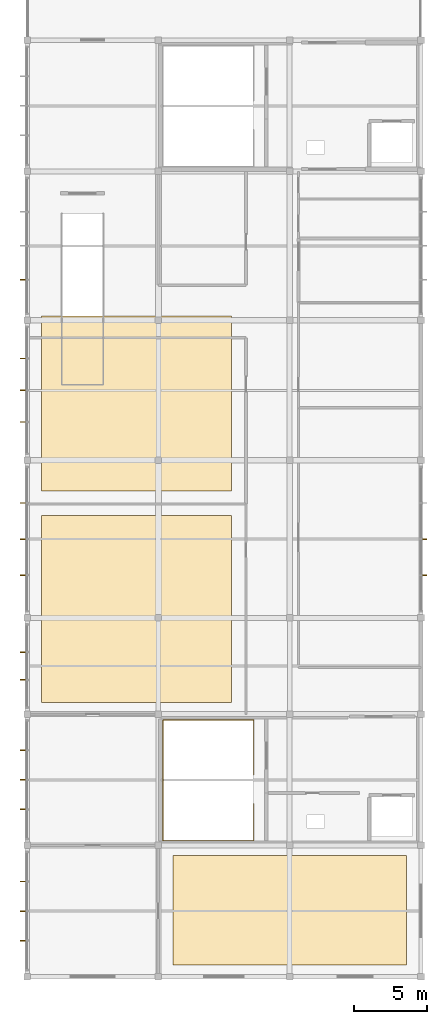
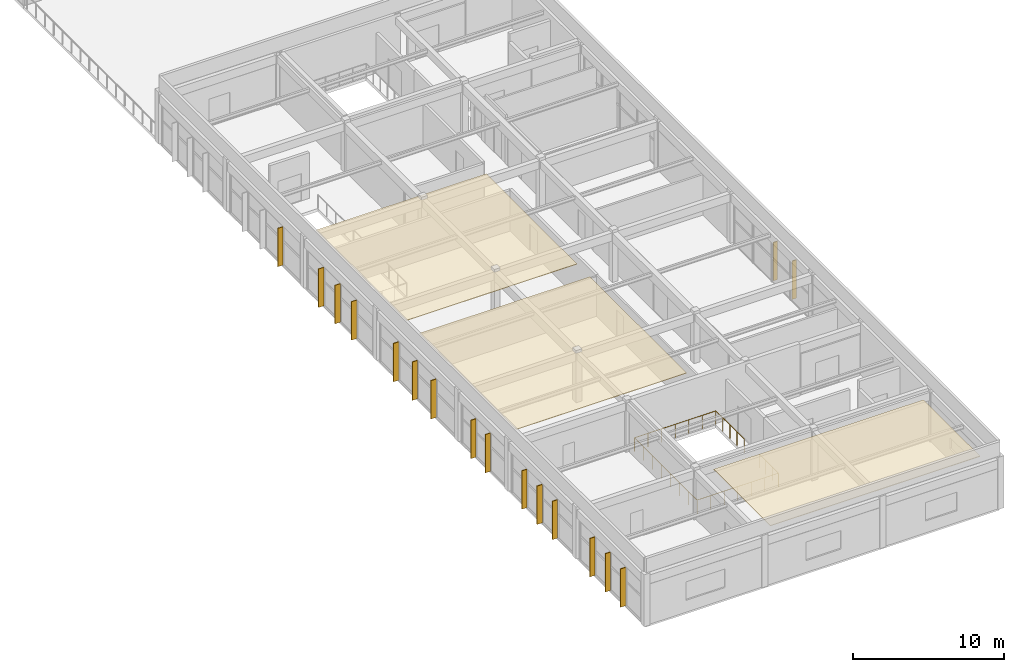
# One storey, part 9 of 10: 17 shading devices, 3 coverings, 1 railing.
"""IFC4 building model written with IfcOpenShell, lengths in metres."""

from ifc_helpers import new_model, si_unit, direction, frame, origin, origin_2d, place, context, subcontext, project, spatial, polyline, rectangle, circle, outline, extrude, material, layer, layer_set, type_object, element, save


model = new_model("IFC4")

# Units and contexts
model_context = context("Model", 3, precision=1e-05, world=origin(), true_north=direction((0.0, 1.0)))
body_context = subcontext(model_context, "Body", "Model", "MODEL_VIEW")
ifc_project = project(units=[si_unit("LENGTHUNIT", "METRE"), si_unit("AREAUNIT", "SQUARE_METRE"), si_unit("VOLUMEUNIT", "CUBIC_METRE"), si_unit("PLANEANGLEUNIT", "RADIAN"), si_unit("MASSUNIT", "GRAM", prefix="KILO")], contexts=[model_context])

# Site, building, storey
site_placement = place(None, origin())
site = spatial("IfcSite", under=ifc_project, at=site_placement, CompositionType="ELEMENT")
building_placement = place(site_placement, origin())
building = spatial("IfcBuilding", under=site, at=building_placement, Name="Suirenkawa Promenade Aquatics Centre", CompositionType="ELEMENT")
storey_placement = place(building_placement, frame((0.0, 0.0, 18.60009765625)))
storey = spatial("IfcBuildingStorey", under=building, at=storey_placement, Name="L04", CompositionType="ELEMENT", Elevation=18.60009765625)

# Coverings
ifc_material_1 = material(Name="Anodised aluminium 6063-T6", Category="aluminium")
ifc_layer = layer(ifc_material_1, 0.044921875, Name="Anodised aluminium 6063-T6", Category="aluminium")
ifc_layer_set = layer_set([ifc_layer], Name="Anodised aluminium 6063-T6")
covering_type = type_object("IfcCoveringType", Name="CVT-BAFFLE-CEIL", PredefinedType="CEILING", material=ifc_layer_set)
covering_1_placement = place(storey_placement, frame((0.0, 0.0, 3.9248046875)))
element("IfcCovering", 1, at=covering_1_placement, inside=storey, type_object=covering_type, Name="Acoustic baffle ceiling CLG-01 CLG-010", PredefinedType="CEILING", context=body_context, shape_type="SweptSolid", body=[
    extrude(outline(polyline([(1.0, 23.0), (14.0, 23.0), (14.0, 35.800048828125), (1.0, 35.800048828125), (1.0, 23.0)])), origin(), (0.0, 0.0, 1.0), 0.045166015625),
])
covering_2_placement = place(storey_placement, frame((0.0, 0.0, 3.9248046875)))
element("IfcCovering", 2, at=covering_2_placement, inside=storey, type_object=covering_type, Name="Acoustic baffle ceiling CLG-01 CLG-011", PredefinedType="CEILING", context=body_context, shape_type="SweptSolid", body=[
    extrude(outline(polyline([(1.0, 37.5), (14.0, 37.5), (14.0, 49.5), (1.0, 49.5), (1.0, 37.5)])), origin(), (0.0, 0.0, 1.0), 0.045166015625),
])
covering_3_placement = place(storey_placement, frame((0.0, 0.0, 3.9248046875)))
element("IfcCovering", 3, at=covering_3_placement, inside=storey, type_object=covering_type, Name="Acoustic baffle ceiling CLG-01 CLG-012", PredefinedType="CEILING", context=body_context, shape_type="SweptSolid", body=[
    extrude(outline(polyline([(10.0, 5.0), (26.0, 5.0), (26.0, 12.5), (10.0, 12.5), (10.0, 5.0)])), origin(), (0.0, 0.0, 1.0), 0.045166015625),
])

# Railing
ifc_material_2 = material(Name="Marine-grade stainless steel Grade 316L", Category="steel")
railing_type = type_object("IfcRailingType", Name="RLT-GUARD-1120", PredefinedType="GUARDRAIL", material=ifc_material_2)
railing_placement = place(storey_placement, frame((15.530029296875, 18.06005859375, 0.0)))
element("IfcRailing", 4, at=railing_placement, inside=storey, type_object=railing_type, Name="Guardrail GRD-01 RL-0406", PredefinedType="GUARDRAIL", context=body_context, shape_type="SweptSolid", body=[
    extrude(circle(Radius=0.02392578125, at=origin_2d()), frame((0.0, 0.0, 1.09619140625), z_axis=(0.0, 1.0, 0.0), x_axis=(-1.0, 0.0, 0.0)), (0.0, 0.0, 1.0), 3.739990234375),
    extrude(circle(Radius=0.02392578125, at=origin_2d()), frame((0.0, 3.739990234375, 1.09619140625), z_axis=(-1.0, 0.0, 0.0), x_axis=(0.0, -1.0, 0.0)), (0.0, 0.0, 1.0), 6.2099609375),
    extrude(circle(Radius=0.02392578125, at=origin_2d()), frame((-6.2099609375, 3.739990234375, 1.09619140625), z_axis=(0.0, -1.0, 0.0), x_axis=(1.0, 0.0, 0.0)), (0.0, 0.0, 1.0), 8.280029296875),
    extrude(circle(Radius=0.02392578125, at=origin_2d()), frame((-6.2099609375, -4.5400390625, 1.09619140625), z_axis=(1.0, 0.0, 0.0), x_axis=(0.0, 1.0, 0.0)), (0.0, 0.0, 1.0), 6.2099609375),
    extrude(circle(Radius=0.02392578125, at=origin_2d()), frame((0.0, -4.5400390625, 1.09619140625), z_axis=(0.0, 1.0, 0.0), x_axis=(-1.0, 0.0, 0.0)), (0.0, 0.0, 1.0), 2.52001953125),
    extrude(circle(Radius=0.02099609375, at=origin_2d()), origin(), (0.0, 0.0, 1.0), 1.072021484375),
    extrude(circle(Radius=0.02099609375, at=origin_2d()), frame((0.0, 0.93505859375, 0.0)), (0.0, 0.0, 1.0), 1.072021484375),
    extrude(circle(Radius=0.02099609375, at=origin_2d()), frame((0.0, 1.8701171875, 0.0)), (0.0, 0.0, 1.0), 1.072021484375),
    extrude(circle(Radius=0.02099609375, at=origin_2d()), frame((0.0, 2.804931640625, 0.0)), (0.0, 0.0, 1.0), 1.072021484375),
    extrude(circle(Radius=0.02099609375, at=origin_2d()), frame((0.0, 3.739990234375, 0.0)), (0.0, 0.0, 1.0), 1.072021484375),
    extrude(circle(Radius=0.02099609375, at=origin_2d()), frame((-1.034912109375, 3.739990234375, 0.0)), (0.0, 0.0, 1.0), 1.072021484375),
    extrude(circle(Radius=0.02099609375, at=origin_2d()), frame((-2.070068359375, 3.739990234375, 0.0)), (0.0, 0.0, 1.0), 1.072021484375),
    extrude(circle(Radius=0.02099609375, at=origin_2d()), frame((-3.10498046875, 3.739990234375, 0.0)), (0.0, 0.0, 1.0), 1.072021484375),
    extrude(circle(Radius=0.02099609375, at=origin_2d()), frame((-4.139892578125, 3.739990234375, 0.0)), (0.0, 0.0, 1.0), 1.072021484375),
    extrude(circle(Radius=0.02099609375, at=origin_2d()), frame((-5.175048828125, 3.739990234375, 0.0)), (0.0, 0.0, 1.0), 1.072021484375),
    extrude(circle(Radius=0.02099609375, at=origin_2d()), frame((-6.2099609375, 3.739990234375, 0.0)), (0.0, 0.0, 1.0), 1.072021484375),
    extrude(circle(Radius=0.02099609375, at=origin_2d()), frame((-6.2099609375, 2.55712890625, 0.0)), (0.0, 0.0, 1.0), 1.072021484375),
    extrude(circle(Radius=0.02099609375, at=origin_2d()), frame((-6.2099609375, 1.374267578125, 0.0)), (0.0, 0.0, 1.0), 1.072021484375),
    extrude(circle(Radius=0.02099609375, at=origin_2d()), frame((-6.2099609375, 0.19140625, 0.0)), (0.0, 0.0, 1.0), 1.072021484375),
    extrude(circle(Radius=0.02099609375, at=origin_2d()), frame((-6.2099609375, -0.991455078125, 0.0)), (0.0, 0.0, 1.0), 1.072021484375),
    extrude(circle(Radius=0.02099609375, at=origin_2d()), frame((-6.2099609375, -2.17431640625, 0.0)), (0.0, 0.0, 1.0), 1.072021484375),
    extrude(circle(Radius=0.02099609375, at=origin_2d()), frame((-6.2099609375, -3.357177734375, 0.0)), (0.0, 0.0, 1.0), 1.072021484375),
    extrude(circle(Radius=0.02099609375, at=origin_2d()), frame((-6.2099609375, -4.5400390625, 0.0)), (0.0, 0.0, 1.0), 1.072021484375),
    extrude(circle(Radius=0.02099609375, at=origin_2d()), frame((-5.175048828125, -4.5400390625, 0.0)), (0.0, 0.0, 1.0), 1.072021484375),
    extrude(circle(Radius=0.02099609375, at=origin_2d()), frame((-4.139892578125, -4.5400390625, 0.0)), (0.0, 0.0, 1.0), 1.072021484375),
    extrude(circle(Radius=0.02099609375, at=origin_2d()), frame((-3.10498046875, -4.5400390625, 0.0)), (0.0, 0.0, 1.0), 1.072021484375),
    extrude(circle(Radius=0.02099609375, at=origin_2d()), frame((-2.070068359375, -4.5400390625, 0.0)), (0.0, 0.0, 1.0), 1.072021484375),
    extrude(circle(Radius=0.02099609375, at=origin_2d()), frame((-1.034912109375, -4.5400390625, 0.0)), (0.0, 0.0, 1.0), 1.072021484375),
    extrude(circle(Radius=0.02099609375, at=origin_2d()), frame((0.0, -4.5400390625, 0.0)), (0.0, 0.0, 1.0), 1.072021484375),
    extrude(circle(Radius=0.02099609375, at=origin_2d()), frame((0.0, -3.699951171875, 0.0)), (0.0, 0.0, 1.0), 1.072021484375),
    extrude(circle(Radius=0.02099609375, at=origin_2d()), frame((0.0, -2.860107421875, 0.0)), (0.0, 0.0, 1.0), 1.072021484375),
    extrude(circle(Radius=0.02099609375, at=origin_2d()), frame((0.0, -2.02001953125, 0.0)), (0.0, 0.0, 1.0), 1.072021484375),
])

# Shading devices
shading_device_type_1 = type_object("IfcShadingDeviceType", Name="SDT-KOUSHI-320", PredefinedType="USERDEFINED", material=ifc_material_1)
for number, where, z_axis, x_axis, name in (
    (5, (27.23193359375, 34.199951171875, 0.0400390625), (0.0, 0.0, 1.0), (1.0, 0.0, 0.0), "Vertical solar shading fin FN-02 FIN-0247"),
    (6, (27.23193359375, 31.724609375, 0.0400390625), (0.0, 0.0, 1.0), (1.0, 0.0, 0.0), "Vertical solar shading fin FN-02 FIN-0248"),
):
    element("IfcShadingDevice", number, at=place(storey_placement, frame(where, z_axis=z_axis, x_axis=x_axis)), inside=storey, type_object=shading_device_type_1, Name=name, ObjectType="FIN", PredefinedType="USERDEFINED", context=body_context, shape_type="SweptSolid", body=[
        extrude(rectangle(XDim=0.320068359375, YDim=0.06005859375, at=origin_2d()), origin(), (0.0, 0.0, 1.0), 3.094970703125),
    ])
shading_device_type_2 = type_object("IfcShadingDeviceType", Name="SDT-KOUSHI-400", PredefinedType="USERDEFINED", material=ifc_material_1)
for number, where, z_axis, x_axis, name in (
    (7, (-0.287109375, 6.674560546875, 0.0400390625), (0.0, 0.0, 1.0), (-1.0, 0.0, 0.0), "Vertical solar shading fin FN-01 FIN-0235"),
    (8, (-0.287109375, 8.699951171875, 0.0400390625), (0.0, 0.0, 1.0), (-1.0, 0.0, 0.0), "Vertical solar shading fin FN-01 FIN-0236"),
    (9, (-0.287109375, 10.7255859375, 0.0400390625), (0.0, 0.0, 1.0), (-1.0, 0.0, 0.0), "Vertical solar shading fin FN-01 FIN-0237"),
    (10, (-0.287109375, 15.674560546875, 0.0400390625), (0.0, 0.0, 1.0), (-1.0, 0.0, 0.0), "Vertical solar shading fin FN-01 FIN-0238"),
    (11, (-0.287109375, 17.699951171875, 0.0400390625), (0.0, 0.0, 1.0), (-1.0, 0.0, 0.0), "Vertical solar shading fin FN-01 FIN-0239"),
    (12, (-0.287109375, 19.7255859375, 0.0400390625), (0.0, 0.0, 1.0), (-1.0, 0.0, 0.0), "Vertical solar shading fin FN-01 FIN-0240"),
    (13, (-0.287109375, 24.549560546875, 0.0400390625), (0.0, 0.0, 1.0), (-1.0, 0.0, 0.0), "Vertical solar shading fin FN-01 FIN-0241"),
    (14, (-0.287109375, 26.450439453125, 0.0400390625), (0.0, 0.0, 1.0), (-1.0, 0.0, 0.0), "Vertical solar shading fin FN-01 FIN-0242"),
    (15, (-0.287109375, 31.724609375, 0.0400390625), (0.0, 0.0, 1.0), (-1.0, 0.0, 0.0), "Vertical solar shading fin FN-01 FIN-0243"),
    (16, (-0.287109375, 34.199951171875, 0.0400390625), (0.0, 0.0, 1.0), (-1.0, 0.0, 0.0), "Vertical solar shading fin FN-01 FIN-0244"),
    (17, (-0.287109375, 36.675537109375, 0.0400390625), (0.0, 0.0, 1.0), (-1.0, 0.0, 0.0), "Vertical solar shading fin FN-01 FIN-0245"),
    (18, (-0.287109375, 42.224609375, 0.0400390625), (0.0, 0.0, 1.0), (-1.0, 0.0, 0.0), "Vertical solar shading fin FN-01 FIN-0249"),
    (19, (-0.287109375, 44.39990234375, 0.0400390625), (0.0, 0.0, 1.0), (-1.0, 0.0, 0.0), "Vertical solar shading fin FN-01 FIN-0250"),
    (20, (-0.287109375, 46.575439453125, 0.0400390625), (0.0, 0.0, 1.0), (-1.0, 0.0, 0.0), "Vertical solar shading fin FN-01 FIN-0251"),
    (21, (-0.287109375, 51.974609375, 0.0400390625), (0.0, 0.0, 1.0), (-1.0, 0.0, 0.0), "Vertical solar shading fin FN-01 FIN-0252"),
):
    element("IfcShadingDevice", number, at=place(storey_placement, frame(where, z_axis=z_axis, x_axis=x_axis)), inside=storey, type_object=shading_device_type_2, Name=name, ObjectType="FIN", PredefinedType="USERDEFINED", context=body_context, shape_type="SweptSolid", body=[
        extrude(rectangle(XDim=0.39990234375, YDim=0.06005859375, at=origin_2d()), origin(), (0.0, 0.0, 1.0), 3.094970703125),
    ])

save(model, "model.ifc")
